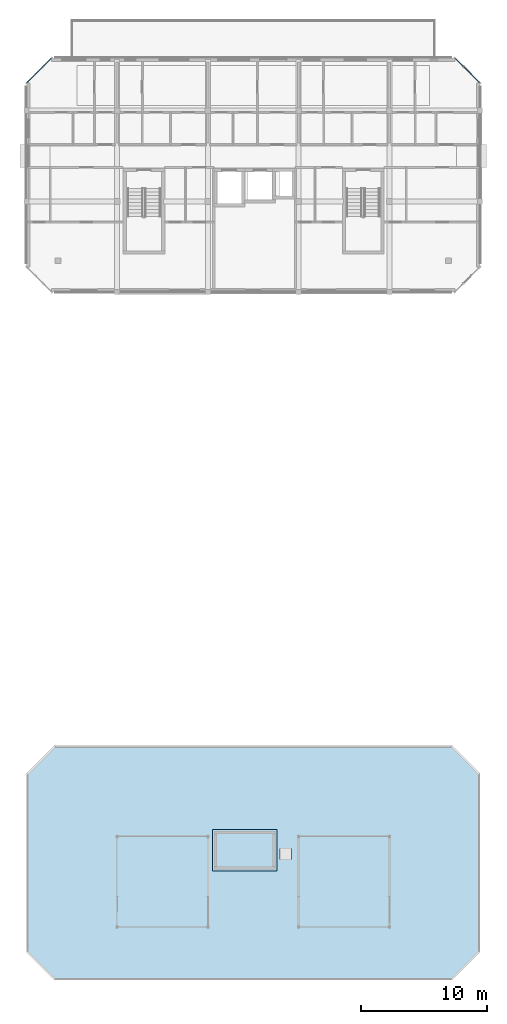
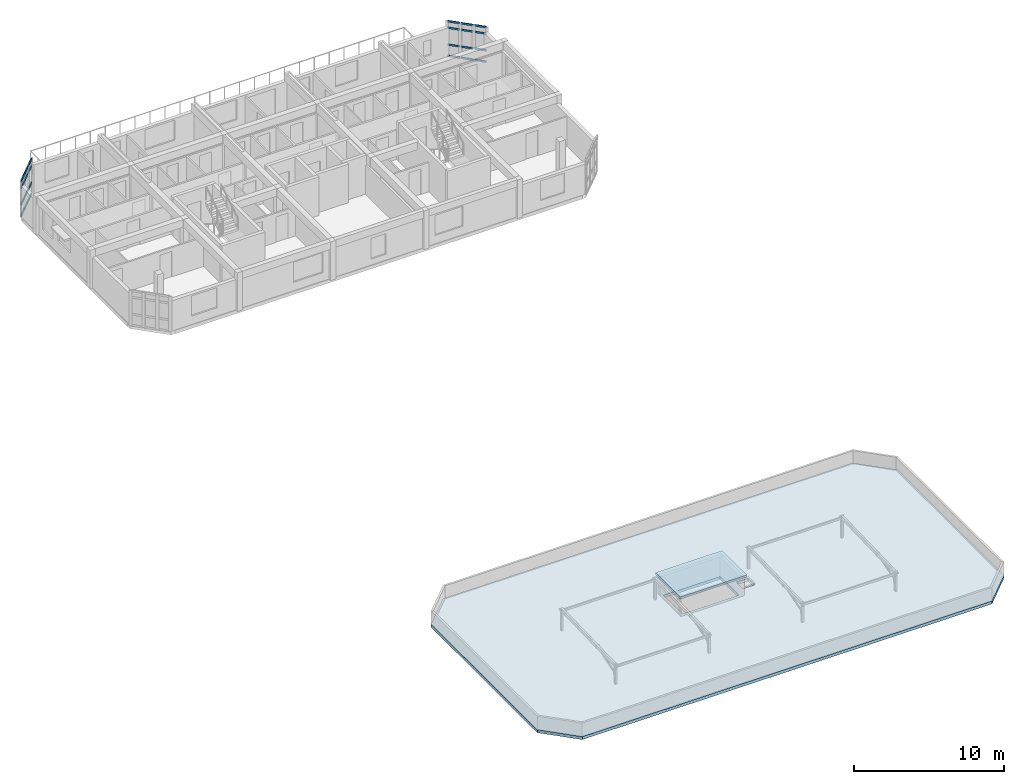
# One storey, part 5 of 16: 24 members, 2 slabs, 2 elements without a shape of their own.
"""IFC4 building model written with IfcOpenShell, lengths in metres."""

from ifc_helpers import new_model, si_unit, direction, frame, origin, origin_2d, place, context, subcontext, project, spatial, polyline, rectangle, outline, extrude, material, layer, layer_set, material_profile, profile_set, type_object, element, aggregate, save


model = new_model("IFC4")

# Units and contexts
model_context = context("Model", 3, precision=1e-05, world=origin(), true_north=direction((0.0, 1.0)))
body_context = subcontext(model_context, "Body", "Model", "MODEL_VIEW")
ifc_project = project(units=[si_unit("LENGTHUNIT", "METRE"), si_unit("AREAUNIT", "SQUARE_METRE"), si_unit("VOLUMEUNIT", "CUBIC_METRE"), si_unit("PLANEANGLEUNIT", "RADIAN"), si_unit("MASSUNIT", "GRAM", prefix="KILO")], contexts=[model_context])

# Site, building, storey
site_placement = place(None, origin())
site = spatial("IfcSite", under=ifc_project, at=site_placement, CompositionType="ELEMENT")
building_placement = place(site_placement, origin())
building = spatial("IfcBuilding", under=site, at=building_placement, Name="Ochrevale Crest", CompositionType="ELEMENT")
storey_placement = place(building_placement, frame((0.0, 0.0, 46.5)))
storey = spatial("IfcBuildingStorey", under=building, at=storey_placement, Name="L14", CompositionType="ELEMENT", Elevation=46.5)

# Curtain wall, members
ifc_material_1 = material(Name="Anodised aluminium 6063-T5", Category="aluminium")
ifc_layer_1 = layer(ifc_material_1, 0.14990234375)
ifc_layer_set_1 = layer_set([ifc_layer_1], Name="Anodised aluminium 6063-T5")
curtain_wall_type_1 = type_object("IfcCurtainWallType", Name="CW-WG-360x285", PredefinedType="NOTDEFINED", material=ifc_layer_set_1)
curtain_wall_1_placement = place(storey_placement, origin())
curtain_wall_1 = element("IfcCurtainWall", 1, at=curtain_wall_1_placement, inside=storey, type_object=curtain_wall_type_1, Name="Block D L14 chamfered corner wintergarden curtain wall 4", PredefinedType="NOTDEFINED")
ifc_material_profile = material_profile(ifc_material_1, rectangle(XDim=0.06005859375, YDim=0.14990234375, at=origin_2d()), Name="ALU 60x150")
ifc_profile_set = profile_set([ifc_material_profile], Name="Anodised aluminium 6063-T5")
member_type = type_object("IfcMemberType", Name="CW-TRN-60x150", PredefinedType="USERDEFINED", material=ifc_profile_set)
member_1_placement = place(storey_placement, frame((165.546875, 88.653076171875, 0.030029296875), z_axis=(-0.706959727686, 0.707253804112, 0.0), x_axis=(-0.707253804112, -0.706959727686, 0.0)))
member_1 = element("IfcMember", 2, at=member_1_placement, type_object=member_type, Name="CW18 transom 1.1", ObjectType="TRANSOM", PredefinedType="USERDEFINED", context=body_context, shape_type="SweptSolid", body=[
    extrude(rectangle(XDim=0.06005859375, YDim=0.14990234375, at=origin_2d()), origin(), (0.0, 0.0, 1.0), 0.830078125),
])
member_2_placement = place(storey_placement, frame((165.546875, 88.653076171875, 0.949951171875), z_axis=(-0.706959727686, 0.707253804112, 0.0), x_axis=(-0.707253804112, -0.706959727686, 0.0)))
member_2 = element("IfcMember", 3, at=member_2_placement, type_object=member_type, Name="CW18 transom 1.2", ObjectType="TRANSOM", PredefinedType="USERDEFINED", context=body_context, shape_type="SweptSolid", body=[
    extrude(rectangle(XDim=0.06005859375, YDim=0.14990234375, at=origin_2d()), origin(), (0.0, 0.0, 1.0), 0.830078125),
])
member_3_placement = place(storey_placement, frame((165.546875, 88.653076171875, 2.324951171875), z_axis=(-0.706959727686, 0.707253804112, 0.0), x_axis=(-0.707253804112, -0.706959727686, 0.0)))
member_3 = element("IfcMember", 4, at=member_3_placement, type_object=member_type, Name="CW18 transom 1.3", ObjectType="TRANSOM", PredefinedType="USERDEFINED", context=body_context, shape_type="SweptSolid", body=[
    extrude(rectangle(XDim=0.06005859375, YDim=0.14990234375, at=origin_2d()), origin(), (0.0, 0.0, 1.0), 0.830078125),
])
member_4_placement = place(storey_placement, frame((165.546875, 88.653076171875, 2.844970703125), z_axis=(-0.706959727686, 0.707253804112, 0.0), x_axis=(-0.707253804112, -0.706959727686, 0.0)))
member_4 = element("IfcMember", 5, at=member_4_placement, type_object=member_type, Name="CW18 transom 1.4", ObjectType="TRANSOM", PredefinedType="USERDEFINED", context=body_context, shape_type="SweptSolid", body=[
    extrude(rectangle(XDim=0.06005859375, YDim=0.14990234375, at=origin_2d()), origin(), (0.0, 0.0, 1.0), 0.830078125),
])
member_5_placement = place(storey_placement, frame((164.90673828125, 89.293212890625, 0.030029296875), z_axis=(-0.707106781187, 0.707106781187, 0.0), x_axis=(-0.707106781187, -0.707106781187, 0.0)))
member_5 = element("IfcMember", 6, at=member_5_placement, type_object=member_type, Name="CW18 transom 2.1", ObjectType="TRANSOM", PredefinedType="USERDEFINED", context=body_context, shape_type="SweptSolid", body=[
    extrude(rectangle(XDim=0.06005859375, YDim=0.14990234375, at=origin_2d()), origin(), (0.0, 0.0, 1.0), 0.86767578125),
])
member_6_placement = place(storey_placement, frame((164.90673828125, 89.293212890625, 0.949951171875), z_axis=(-0.707106781187, 0.707106781187, 0.0), x_axis=(-0.707106781187, -0.707106781187, 0.0)))
member_6 = element("IfcMember", 7, at=member_6_placement, type_object=member_type, Name="CW18 transom 2.2", ObjectType="TRANSOM", PredefinedType="USERDEFINED", context=body_context, shape_type="SweptSolid", body=[
    extrude(rectangle(XDim=0.06005859375, YDim=0.14990234375, at=origin_2d()), origin(), (0.0, 0.0, 1.0), 0.86767578125),
])
member_7_placement = place(storey_placement, frame((164.90673828125, 89.293212890625, 2.324951171875), z_axis=(-0.707106781187, 0.707106781187, 0.0), x_axis=(-0.707106781187, -0.707106781187, 0.0)))
member_7 = element("IfcMember", 8, at=member_7_placement, type_object=member_type, Name="CW18 transom 2.3", ObjectType="TRANSOM", PredefinedType="USERDEFINED", context=body_context, shape_type="SweptSolid", body=[
    extrude(rectangle(XDim=0.06005859375, YDim=0.14990234375, at=origin_2d()), origin(), (0.0, 0.0, 1.0), 0.86767578125),
])
member_8_placement = place(storey_placement, frame((164.90673828125, 89.293212890625, 2.844970703125), z_axis=(-0.707106781187, 0.707106781187, 0.0), x_axis=(-0.707106781187, -0.707106781187, 0.0)))
member_8 = element("IfcMember", 9, at=member_8_placement, type_object=member_type, Name="CW18 transom 2.4", ObjectType="TRANSOM", PredefinedType="USERDEFINED", context=body_context, shape_type="SweptSolid", body=[
    extrude(rectangle(XDim=0.06005859375, YDim=0.14990234375, at=origin_2d()), origin(), (0.0, 0.0, 1.0), 0.86767578125),
])
member_9_placement = place(storey_placement, frame((164.240234375, 89.9599609375, 0.030029296875), z_axis=(-0.707253804112, 0.706959727686, 0.0), x_axis=(-0.706959727686, -0.707253804112, 0.0)))
member_9 = element("IfcMember", 10, at=member_9_placement, type_object=member_type, Name="CW18 transom 3.1", ObjectType="TRANSOM", PredefinedType="USERDEFINED", context=body_context, shape_type="SweptSolid", body=[
    extrude(rectangle(XDim=0.06005859375, YDim=0.14990234375, at=origin_2d()), origin(), (0.0, 0.0, 1.0), 0.830078125),
])
member_10_placement = place(storey_placement, frame((164.240234375, 89.9599609375, 0.949951171875), z_axis=(-0.707253804112, 0.706959727686, 0.0), x_axis=(-0.706959727686, -0.707253804112, 0.0)))
member_10 = element("IfcMember", 11, at=member_10_placement, type_object=member_type, Name="CW18 transom 3.2", ObjectType="TRANSOM", PredefinedType="USERDEFINED", context=body_context, shape_type="SweptSolid", body=[
    extrude(rectangle(XDim=0.06005859375, YDim=0.14990234375, at=origin_2d()), origin(), (0.0, 0.0, 1.0), 0.830078125),
])
member_11_placement = place(storey_placement, frame((164.240234375, 89.9599609375, 2.324951171875), z_axis=(-0.707253804112, 0.706959727686, 0.0), x_axis=(-0.706959727686, -0.707253804112, 0.0)))
member_11 = element("IfcMember", 12, at=member_11_placement, type_object=member_type, Name="CW18 transom 3.3", ObjectType="TRANSOM", PredefinedType="USERDEFINED", context=body_context, shape_type="SweptSolid", body=[
    extrude(rectangle(XDim=0.06005859375, YDim=0.14990234375, at=origin_2d()), origin(), (0.0, 0.0, 1.0), 0.830078125),
])
member_12_placement = place(storey_placement, frame((164.240234375, 89.9599609375, 2.844970703125), z_axis=(-0.707253804112, 0.706959727686, 0.0), x_axis=(-0.706959727686, -0.707253804112, 0.0)))
member_12 = element("IfcMember", 13, at=member_12_placement, type_object=member_type, Name="CW18 transom 3.4", ObjectType="TRANSOM", PredefinedType="USERDEFINED", context=body_context, shape_type="SweptSolid", body=[
    extrude(rectangle(XDim=0.06005859375, YDim=0.14990234375, at=origin_2d()), origin(), (0.0, 0.0, 1.0), 0.830078125),
])
aggregate(curtain_wall_1, [member_1, member_2, member_3, member_4, member_5, member_6, member_7, member_8, member_9, member_10, member_11, member_12])

ifc_layer_2 = layer(ifc_material_1, 0.14990234375)
ifc_layer_set_2 = layer_set([ifc_layer_2], Name="Anodised aluminium 6063-T5")
curtain_wall_type_2 = type_object("IfcCurtainWallType", Name="CW-WG-240x285", PredefinedType="NOTDEFINED", material=ifc_layer_set_2)
curtain_wall_2_placement = place(storey_placement, origin())
curtain_wall_2 = element("IfcCurtainWall", 14, at=curtain_wall_2_placement, inside=storey, type_object=curtain_wall_type_2, Name="Block D L14 chamfered corner wintergarden curtain wall 6", PredefinedType="NOTDEFINED")
member_13_placement = place(storey_placement, frame((131.546875, 90.546875, 0.030029296875), z_axis=(-0.707106781187, -0.707106781187, 0.0), x_axis=(0.707106781187, -0.707106781187, 0.0)))
member_13 = element("IfcMember", 15, at=member_13_placement, type_object=member_type, Name="CW15 transom 1.1", ObjectType="TRANSOM", PredefinedType="USERDEFINED", context=body_context, shape_type="SweptSolid", body=[
    extrude(rectangle(XDim=0.06005859375, YDim=0.14990234375, at=origin_2d()), origin(), (0.0, 0.0, 1.0), 0.830078125),
])
member_14_placement = place(storey_placement, frame((131.546875, 90.546875, 0.949951171875), z_axis=(-0.707106781187, -0.707106781187, 0.0), x_axis=(0.707106781187, -0.707106781187, 0.0)))
member_14 = element("IfcMember", 16, at=member_14_placement, type_object=member_type, Name="CW15 transom 1.2", ObjectType="TRANSOM", PredefinedType="USERDEFINED", context=body_context, shape_type="SweptSolid", body=[
    extrude(rectangle(XDim=0.06005859375, YDim=0.14990234375, at=origin_2d()), origin(), (0.0, 0.0, 1.0), 0.830078125),
])
member_15_placement = place(storey_placement, frame((131.546875, 90.546875, 2.324951171875), z_axis=(-0.707106781187, -0.707106781187, 0.0), x_axis=(0.707106781187, -0.707106781187, 0.0)))
member_15 = element("IfcMember", 17, at=member_15_placement, type_object=member_type, Name="CW15 transom 1.3", ObjectType="TRANSOM", PredefinedType="USERDEFINED", context=body_context, shape_type="SweptSolid", body=[
    extrude(rectangle(XDim=0.06005859375, YDim=0.14990234375, at=origin_2d()), origin(), (0.0, 0.0, 1.0), 0.830078125),
])
member_16_placement = place(storey_placement, frame((131.546875, 90.546875, 2.844970703125), z_axis=(-0.707106781187, -0.707106781187, 0.0), x_axis=(0.707106781187, -0.707106781187, 0.0)))
member_16 = element("IfcMember", 18, at=member_16_placement, type_object=member_type, Name="CW15 transom 1.4", ObjectType="TRANSOM", PredefinedType="USERDEFINED", context=body_context, shape_type="SweptSolid", body=[
    extrude(rectangle(XDim=0.06005859375, YDim=0.14990234375, at=origin_2d()), origin(), (0.0, 0.0, 1.0), 0.830078125),
])
member_17_placement = place(storey_placement, frame((130.90673828125, 89.90673828125, 0.030029296875), z_axis=(-0.707106781187, -0.707106781187, 0.0), x_axis=(0.707106781187, -0.707106781187, 0.0)))
member_17 = element("IfcMember", 19, at=member_17_placement, type_object=member_type, Name="CW15 transom 2.1", ObjectType="TRANSOM", PredefinedType="USERDEFINED", context=body_context, shape_type="SweptSolid", body=[
    extrude(rectangle(XDim=0.06005859375, YDim=0.14990234375, at=origin_2d()), origin(), (0.0, 0.0, 1.0), 0.86767578125),
])
member_18_placement = place(storey_placement, frame((130.90673828125, 89.90673828125, 0.949951171875), z_axis=(-0.707106781187, -0.707106781187, 0.0), x_axis=(0.707106781187, -0.707106781187, 0.0)))
member_18 = element("IfcMember", 20, at=member_18_placement, type_object=member_type, Name="CW15 transom 2.2", ObjectType="TRANSOM", PredefinedType="USERDEFINED", context=body_context, shape_type="SweptSolid", body=[
    extrude(rectangle(XDim=0.06005859375, YDim=0.14990234375, at=origin_2d()), origin(), (0.0, 0.0, 1.0), 0.86767578125),
])
member_19_placement = place(storey_placement, frame((130.90673828125, 89.90673828125, 2.324951171875), z_axis=(-0.707106781187, -0.707106781187, 0.0), x_axis=(0.707106781187, -0.707106781187, 0.0)))
member_19 = element("IfcMember", 21, at=member_19_placement, type_object=member_type, Name="CW15 transom 2.3", ObjectType="TRANSOM", PredefinedType="USERDEFINED", context=body_context, shape_type="SweptSolid", body=[
    extrude(rectangle(XDim=0.06005859375, YDim=0.14990234375, at=origin_2d()), origin(), (0.0, 0.0, 1.0), 0.86767578125),
])
member_20_placement = place(storey_placement, frame((130.90673828125, 89.90673828125, 2.844970703125), z_axis=(-0.707106781187, -0.707106781187, 0.0), x_axis=(0.707106781187, -0.707106781187, 0.0)))
member_20 = element("IfcMember", 22, at=member_20_placement, type_object=member_type, Name="CW15 transom 2.4", ObjectType="TRANSOM", PredefinedType="USERDEFINED", context=body_context, shape_type="SweptSolid", body=[
    extrude(rectangle(XDim=0.06005859375, YDim=0.14990234375, at=origin_2d()), origin(), (0.0, 0.0, 1.0), 0.86767578125),
])
member_21_placement = place(storey_placement, frame((130.240234375, 89.240234375, 0.030029296875), z_axis=(-0.707106781187, -0.707106781187, 0.0), x_axis=(0.707106781187, -0.707106781187, 0.0)))
member_21 = element("IfcMember", 23, at=member_21_placement, type_object=member_type, Name="CW15 transom 3.1", ObjectType="TRANSOM", PredefinedType="USERDEFINED", context=body_context, shape_type="SweptSolid", body=[
    extrude(rectangle(XDim=0.06005859375, YDim=0.14990234375, at=origin_2d()), origin(), (0.0, 0.0, 1.0), 0.830322265625),
])
member_22_placement = place(storey_placement, frame((130.240234375, 89.240234375, 0.949951171875), z_axis=(-0.707106781187, -0.707106781187, 0.0), x_axis=(0.707106781187, -0.707106781187, 0.0)))
member_22 = element("IfcMember", 24, at=member_22_placement, type_object=member_type, Name="CW15 transom 3.2", ObjectType="TRANSOM", PredefinedType="USERDEFINED", context=body_context, shape_type="SweptSolid", body=[
    extrude(rectangle(XDim=0.06005859375, YDim=0.14990234375, at=origin_2d()), origin(), (0.0, 0.0, 1.0), 0.830322265625),
])
member_23_placement = place(storey_placement, frame((130.240234375, 89.240234375, 2.324951171875), z_axis=(-0.707106781187, -0.707106781187, 0.0), x_axis=(0.707106781187, -0.707106781187, 0.0)))
member_23 = element("IfcMember", 25, at=member_23_placement, type_object=member_type, Name="CW15 transom 3.3", ObjectType="TRANSOM", PredefinedType="USERDEFINED", context=body_context, shape_type="SweptSolid", body=[
    extrude(rectangle(XDim=0.06005859375, YDim=0.14990234375, at=origin_2d()), origin(), (0.0, 0.0, 1.0), 0.830322265625),
])
member_24_placement = place(storey_placement, frame((130.240234375, 89.240234375, 2.844970703125), z_axis=(-0.707106781187, -0.707106781187, 0.0), x_axis=(0.707106781187, -0.707106781187, 0.0)))
member_24 = element("IfcMember", 26, at=member_24_placement, type_object=member_type, Name="CW15 transom 3.4", ObjectType="TRANSOM", PredefinedType="USERDEFINED", context=body_context, shape_type="SweptSolid", body=[
    extrude(rectangle(XDim=0.06005859375, YDim=0.14990234375, at=origin_2d()), origin(), (0.0, 0.0, 1.0), 0.830322265625),
])
aggregate(curtain_wall_2, [member_13, member_14, member_15, member_16, member_17, member_18, member_19, member_20, member_21, member_22, member_23, member_24])

# Slabs
ifc_material_2 = material(Name="Precast concrete C40/50", Category="concrete")
ifc_layer_3 = layer(ifc_material_2, 0.239990234375)
ifc_layer_set_3 = layer_set([ifc_layer_3], Name="Precast concrete C40/50")
slab_type_1 = type_object("IfcSlabType", Name="SLB-ROOF-240", PredefinedType="ROOF", material=ifc_layer_set_3)
slab_1_placement = place(storey_placement, frame((0.0, 0.0, -0.239990234375)))
element("IfcSlab", 27, at=slab_1_placement, inside=storey, type_object=slab_type_1, Name="Block C L14 main insulated precast roof slab", PredefinedType="ROOF", context=body_context, shape_type="SweptSolid", body=[
    extrude(outline(polyline([(131.800048828125, 17.39990234375), (163.39990234375, 17.39990234375), (165.60009765625, 19.60009765625), (165.60009765625, 33.800048828125), (163.39990234375, 36.0), (131.800048828125, 36.0), (129.60009765625, 33.800048828125), (129.60009765625, 19.60009765625), (131.800048828125, 17.39990234375)]), holes=[polyline([(144.75, 26.449951171875), (149.10009765625, 26.449951171875), (149.10009765625, 28.949951171875), (144.75, 28.949951171875), (144.75, 26.449951171875)]), polyline([(149.72509765625, 26.949951171875), (150.625, 26.949951171875), (150.625, 27.85009765625), (149.72509765625, 27.85009765625), (149.72509765625, 26.949951171875)])]), origin(), (0.0, 0.0, 1.0), 0.239990234375),
])
ifc_material_3 = material(Name="Concrete C40/50", Category="concrete")
ifc_layer_4 = layer(ifc_material_3, 0.179931640625)
ifc_layer_set_4 = layer_set([ifc_layer_4], Name="Concrete C40/50")
slab_type_2 = type_object("IfcSlabType", Name="SLB-ROOF-OVR-180", PredefinedType="ROOF", material=ifc_layer_set_4)
slab_2_placement = place(storey_placement, frame((0.0, 0.0, 1.570068359375)))
element("IfcSlab", 28, at=slab_2_placement, inside=storey, type_object=slab_type_2, Name="Block C lift overrun roof slab", PredefinedType="ROOF", context=body_context, shape_type="SweptSolid", body=[
    extrude(outline(polyline([(144.35009765625, 26.050048828125), (149.5, 26.050048828125), (149.5, 29.35009765625), (144.35009765625, 29.35009765625), (144.35009765625, 26.050048828125)])), origin(), (0.0, 0.0, 1.0), 0.179931640625),
])

save(model, "model.ifc")
